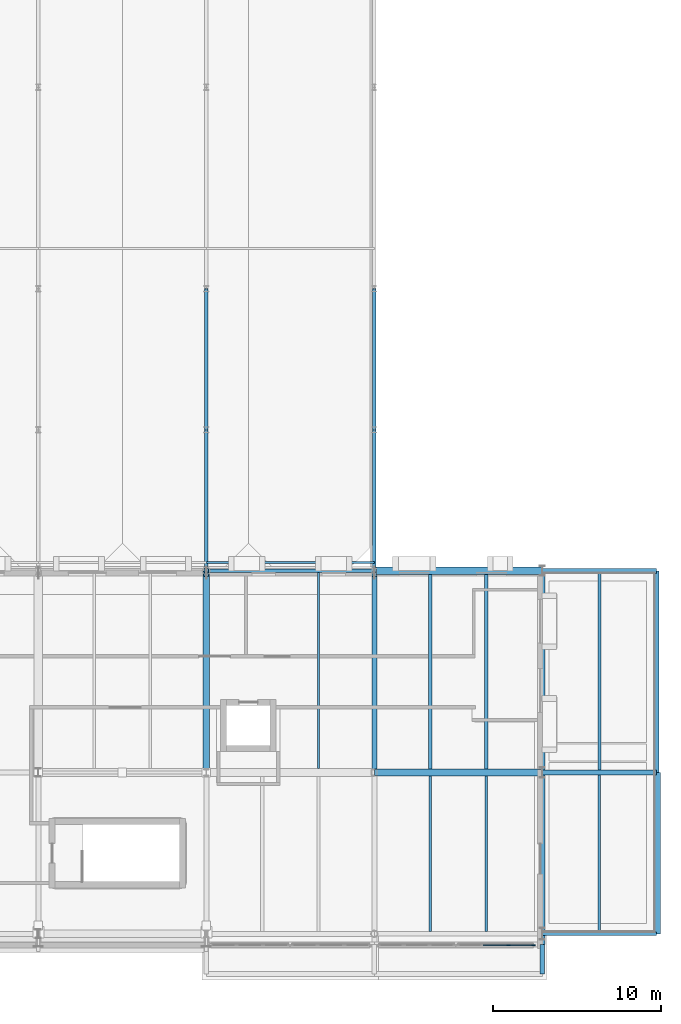
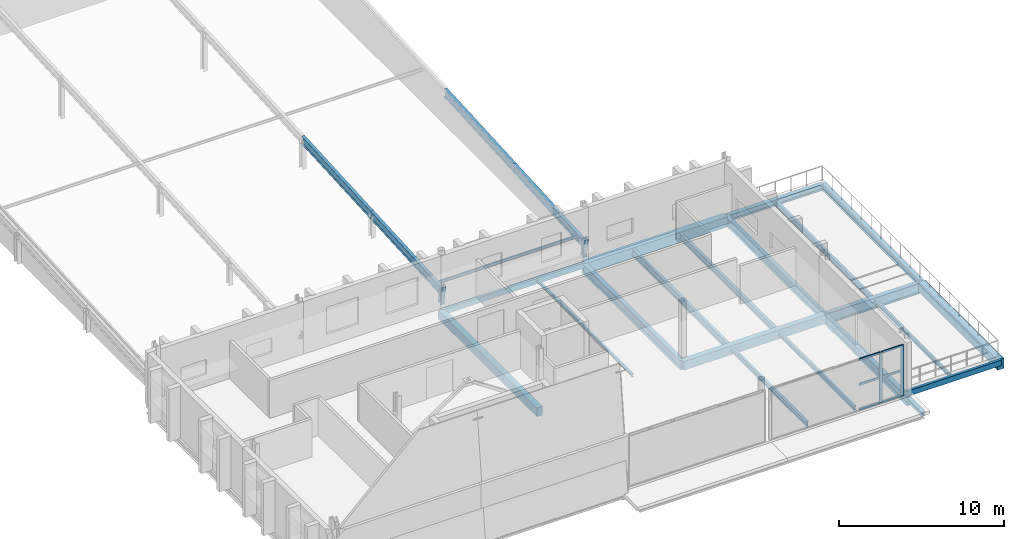
# One storey, part 27 of 57: 24 beams, 11 members, 1 element without a shape of its own.
"""IFC4 building model written with IfcOpenShell, lengths in metres."""

from ifc_helpers import new_model, si_unit, direction, frame, origin, origin_2d, place, context, subcontext, project, spatial, rectangle, hollow_rectangle, i_section, extrude, material, layer, layer_set, material_profile, profile_set, type_object, element, aggregate, save


model = new_model("IFC4")

# Units and contexts
model_context = context("Model", 3, precision=1e-05, world=origin(), true_north=direction((0.0, 1.0)))
body_context = subcontext(model_context, "Body", "Model", "MODEL_VIEW")
ifc_project = project(units=[si_unit("LENGTHUNIT", "METRE"), si_unit("AREAUNIT", "SQUARE_METRE"), si_unit("VOLUMEUNIT", "CUBIC_METRE"), si_unit("PLANEANGLEUNIT", "RADIAN"), si_unit("MASSUNIT", "GRAM", prefix="KILO")], contexts=[model_context])

# Site, building, storey
site_placement = place(None, origin())
site = spatial("IfcSite", under=ifc_project, at=site_placement, CompositionType="ELEMENT")
building_placement = place(site_placement, origin())
building = spatial("IfcBuilding", under=site, at=building_placement, Name="Zereglee Splitstone Museum", CompositionType="ELEMENT")
storey_placement = place(building_placement, frame((0.0, 0.0, 17.10009765625)))
storey = spatial("IfcBuildingStorey", under=building, at=storey_placement, Name="L03", CompositionType="ELEMENT", Elevation=17.10009765625)

# Beams
ifc_material_1 = material(Name="Concrete C40/50", Category="concrete")
ifc_material_profile_1 = material_profile(ifc_material_1, rectangle(XDim=0.39990234375, YDim=0.64990234375, at=origin_2d()), Name="RC 400x650")
ifc_profile_set_1 = profile_set([ifc_material_profile_1], Name="Concrete C40/50")
beam_type_1 = type_object("IfcBeamType", Name="BG-04", PredefinedType="BEAM", material=ifc_profile_set_1)
beam_1_placement = place(storey_placement, frame((205.199951171875, 9.60009765625, -0.60498046875), z_axis=(1.0, 0.0, 0.0), x_axis=(0.0, 1.0, 0.0)))
element("IfcBeam", 1, at=beam_1_placement, inside=storey, type_object=beam_type_1, Name="Primary Girder L03 B (205.2-215.2)", PredefinedType="BEAM", context=body_context, shape_type="SweptSolid", body=[
    extrude(rectangle(XDim=0.39990234375, YDim=0.64990234375, at=origin_2d()), origin(), (0.0, 0.0, 1.0), 10.0),
])
beam_2_placement = place(storey_placement, frame((195.199951171875, 9.60009765625, -0.60498046875), z_axis=(0.0, 1.0, 0.0), x_axis=(-1.0, 0.0, 0.0)))
element("IfcBeam", 2, at=beam_2_placement, inside=storey, type_object=beam_type_1, Name="Primary Girder L03 22 (9.6-21.6)", PredefinedType="BEAM", context=body_context, shape_type="SweptSolid", body=[
    extrude(rectangle(XDim=0.39990234375, YDim=0.64990234375, at=origin_2d()), origin(), (0.0, 0.0, 1.0), 12.0),
])

# Curtain wall, members
ifc_material_2 = material(Name="Triple-glazed low-E argon glass and bronze-anodised aluminium", Category="aluminium")
ifc_layer = layer(ifc_material_2, 0.219970703125)
ifc_layer_set = layer_set([ifc_layer], Name="Triple-glazed low-E argon glass and bronze-anodised aluminium")
curtain_wall_type = type_object("IfcCurtainWallType", Name="CW-0462-376", PredefinedType="USERDEFINED", material=ifc_layer_set)
curtain_wall_placement = place(storey_placement, origin())
curtain_wall = element("IfcCurtainWall", 3, at=curtain_wall_placement, inside=storey, type_object=curtain_wall_type, Name="Glazed Curtain Wall CW-0462-376 (L03)", ObjectType="GLAZED CURTAIN WALL", PredefinedType="USERDEFINED")
ifc_material_3 = material(Name="Thermally broken bronze-anodised aluminium", Category="aluminium")
ifc_material_profile_2 = material_profile(ifc_material_3, rectangle(XDim=0.074951171875, YDim=0.219970703125, at=origin_2d()), Name="CW MULL 75x220")
ifc_profile_set_2 = profile_set([ifc_material_profile_2], Name="Thermally broken bronze-anodised aluminium")
member_type_1 = type_object("IfcMemberType", Name="CWM-02", PredefinedType="MULLION", material=ifc_profile_set_2)
member_1_placement = place(storey_placement, frame((213.18359375, -0.679931640625, 0.0), z_axis=(0.0, 0.0, 1.0), x_axis=(0.0, 1.0, 0.0)))
member_1 = element("IfcMember", 4, at=member_1_placement, type_object=member_type_1, Name="CW-0462-376 mullion 3", PredefinedType="MULLION", context=body_context, shape_type="SweptSolid", body=[
    extrude(rectangle(XDim=0.074951171875, YDim=0.219970703125, at=origin_2d()), origin(), (0.0, 0.0, 1.0), 3.760009765625),
])
member_2_placement = place(storey_placement, frame((214.6845703125, -0.679931640625, 0.0), z_axis=(0.0, 0.0, 1.0), x_axis=(0.0, 1.0, 0.0)))
member_2 = element("IfcMember", 5, at=member_2_placement, type_object=member_type_1, Name="CW-0462-376 mullion 4", PredefinedType="MULLION", context=body_context, shape_type="SweptSolid", body=[
    extrude(rectangle(XDim=0.074951171875, YDim=0.219970703125, at=origin_2d()), origin(), (0.0, 0.0, 1.0), 3.760009765625),
])
ifc_material_profile_3 = material_profile(ifc_material_3, rectangle(XDim=0.074951171875, YDim=0.1650390625, at=origin_2d()), Name="CW TRAN 75x165")
ifc_profile_set_3 = profile_set([ifc_material_profile_3], Name="Thermally broken bronze-anodised aluminium")
member_type_2 = type_object("IfcMemberType", Name="CWT-02", PredefinedType="USERDEFINED", material=ifc_profile_set_3)
member_3_placement = place(storey_placement, frame((211.6826171875, -0.679931640625, 0.037353515625), z_axis=(1.0, 0.0, 0.0), x_axis=(0.0, 1.0, 0.0)))
member_3 = element("IfcMember", 6, at=member_3_placement, type_object=member_type_2, Name="CW-0462-376 transom 2.1", ObjectType="TRANSOM", PredefinedType="USERDEFINED", context=body_context, shape_type="SweptSolid", body=[
    extrude(rectangle(XDim=0.074951171875, YDim=0.1650390625, at=origin_2d()), origin(), (0.0, 0.0, 1.0), 1.46337890625),
])
member_4_placement = place(storey_placement, frame((211.6826171875, -0.679931640625, 1.8798828125), z_axis=(1.0, 0.0, 0.0), x_axis=(0.0, 1.0, 0.0)))
member_4 = element("IfcMember", 7, at=member_4_placement, type_object=member_type_2, Name="CW-0462-376 transom 2.2", ObjectType="TRANSOM", PredefinedType="USERDEFINED", context=body_context, shape_type="SweptSolid", body=[
    extrude(rectangle(XDim=0.074951171875, YDim=0.1650390625, at=origin_2d()), origin(), (0.0, 0.0, 1.0), 1.46337890625),
])
member_5_placement = place(storey_placement, frame((211.6826171875, -0.679931640625, 3.722412109375), z_axis=(1.0, 0.0, 0.0), x_axis=(0.0, 1.0, 0.0)))
member_5 = element("IfcMember", 8, at=member_5_placement, type_object=member_type_2, Name="CW-0462-376 transom 2.3", ObjectType="TRANSOM", PredefinedType="USERDEFINED", context=body_context, shape_type="SweptSolid", body=[
    extrude(rectangle(XDim=0.074951171875, YDim=0.1650390625, at=origin_2d()), origin(), (0.0, 0.0, 1.0), 1.46337890625),
])
member_6_placement = place(storey_placement, frame((213.220947265625, -0.679931640625, 0.037353515625), z_axis=(1.0, 0.0, 0.0), x_axis=(0.0, 1.0, 0.0)))
member_6 = element("IfcMember", 9, at=member_6_placement, type_object=member_type_2, Name="CW-0462-376 transom 3.1", ObjectType="TRANSOM", PredefinedType="USERDEFINED", context=body_context, shape_type="SweptSolid", body=[
    extrude(rectangle(XDim=0.074951171875, YDim=0.1650390625, at=origin_2d()), origin(), (0.0, 0.0, 1.0), 1.426025390625),
])
member_7_placement = place(storey_placement, frame((213.220947265625, -0.679931640625, 1.8798828125), z_axis=(1.0, 0.0, 0.0), x_axis=(0.0, 1.0, 0.0)))
member_7 = element("IfcMember", 10, at=member_7_placement, type_object=member_type_2, Name="CW-0462-376 transom 3.2", ObjectType="TRANSOM", PredefinedType="USERDEFINED", context=body_context, shape_type="SweptSolid", body=[
    extrude(rectangle(XDim=0.074951171875, YDim=0.1650390625, at=origin_2d()), origin(), (0.0, 0.0, 1.0), 1.426025390625),
])
member_8_placement = place(storey_placement, frame((213.220947265625, -0.679931640625, 3.722412109375), z_axis=(1.0, 0.0, 0.0), x_axis=(0.0, 1.0, 0.0)))
member_8 = element("IfcMember", 11, at=member_8_placement, type_object=member_type_2, Name="CW-0462-376 transom 3.3", ObjectType="TRANSOM", PredefinedType="USERDEFINED", context=body_context, shape_type="SweptSolid", body=[
    extrude(rectangle(XDim=0.074951171875, YDim=0.1650390625, at=origin_2d()), origin(), (0.0, 0.0, 1.0), 1.426025390625),
])
aggregate(curtain_wall, [member_1, member_2, member_3, member_4, member_5, member_6, member_7, member_8])

# Beams
ifc_material_4 = material(Name="Steel S355J2", Category="steel")
ifc_material_profile_4 = material_profile(ifc_material_4, i_section(OverallWidth=0.300048828125, OverallDepth=0.60009765625, WebThickness=0.015380859375, FlangeThickness=0.030029296875, FilletRadius=0.027099609375, at=origin_2d()), Name="HE 600 B")
ifc_profile_set_4 = profile_set([ifc_material_profile_4], Name="Steel S355J2")
beam_type_2 = type_object("IfcBeamType", Name="BG-10", PredefinedType="BEAM", material=ifc_profile_set_4)
beam_3_placement = place(storey_placement, frame((215.199951171875, 9.60009765625, -0.580078125), z_axis=(0.0, 1.0, 0.0), x_axis=(-1.0, 0.0, 0.0)))
element("IfcBeam", 12, at=beam_3_placement, inside=storey, type_object=beam_type_2, Name="Primary Girder L03 24 (9.6-21.6)", PredefinedType="BEAM", context=body_context, shape_type="SweptSolid", body=[
    extrude(i_section(OverallWidth=0.300048828125, OverallDepth=0.60009765625, WebThickness=0.015380859375, FlangeThickness=0.030029296875, FilletRadius=0.027099609375, at=origin_2d()), origin(), (0.0, 0.0, 1.0), 12.0),
])
ifc_material_profile_5 = material_profile(ifc_material_4, i_section(OverallWidth=0.300048828125, OverallDepth=0.64990234375, WebThickness=0.01611328125, FlangeThickness=0.031005859375, FilletRadius=0.027099609375, at=origin_2d()), Name="HE 650 B")
ifc_profile_set_5 = profile_set([ifc_material_profile_5], Name="Steel S355J2")
beam_type_3 = type_object("IfcBeamType", Name="BG-09", PredefinedType="BEAM", material=ifc_profile_set_5)
beam_4_placement = place(storey_placement, frame((215.199951171875, -0.64990234375, -0.60498046875), z_axis=(0.0, 1.0, 0.0), x_axis=(-1.0, 0.0, 0.0)))
element("IfcBeam", 13, at=beam_4_placement, inside=storey, type_object=beam_type_3, Name="Primary Girder L03 24 (-0.7-9.6)", PredefinedType="BEAM", context=body_context, shape_type="SweptSolid", body=[
    extrude(i_section(OverallWidth=0.300048828125, OverallDepth=0.64990234375, WebThickness=0.01611328125, FlangeThickness=0.031005859375, FilletRadius=0.027099609375, at=origin_2d()), origin(), (0.0, 0.0, 1.0), 10.25),
])
ifc_material_profile_6 = material_profile(ifc_material_4, i_section(OverallWidth=0.300048828125, OverallDepth=0.699951171875, WebThickness=0.01708984375, FlangeThickness=0.031982421875, FilletRadius=0.027099609375, at=origin_2d()), Name="HE 700 B")
ifc_profile_set_6 = profile_set([ifc_material_profile_6], Name="Steel S355J2")
beam_type_4 = type_object("IfcBeamType", Name="BG-08", PredefinedType="BEAM", material=ifc_profile_set_6)
beam_5_placement = place(storey_placement, frame((205.199951171875, 9.60009765625, -0.630126953125), z_axis=(0.0, 1.0, 0.0), x_axis=(-1.0, 0.0, 0.0)))
element("IfcBeam", 14, at=beam_5_placement, inside=storey, type_object=beam_type_4, Name="Primary Girder L03 23 (9.6-21.6)", PredefinedType="BEAM", context=body_context, shape_type="SweptSolid", body=[
    extrude(i_section(OverallWidth=0.300048828125, OverallDepth=0.699951171875, WebThickness=0.01708984375, FlangeThickness=0.031982421875, FilletRadius=0.027099609375, at=origin_2d()), origin(), (0.0, 0.0, 1.0), 12.0),
])
ifc_material_profile_7 = material_profile(ifc_material_4, i_section(OverallWidth=0.300048828125, OverallDepth=0.800048828125, WebThickness=0.017578125, FlangeThickness=0.032958984375, FilletRadius=0.030029296875, at=origin_2d()), Name="HE 800 B")
ifc_profile_set_7 = profile_set([ifc_material_profile_7], Name="Steel S355J2")
beam_type_5 = type_object("IfcBeamType", Name="BG-07", PredefinedType="BEAM", material=ifc_profile_set_7)
beam_6_placement = place(storey_placement, frame((215.199951171875, 9.60009765625, -0.68017578125), z_axis=(1.0, 0.0, 0.0), x_axis=(0.0, 1.0, 0.0)))
element("IfcBeam", 15, at=beam_6_placement, inside=storey, type_object=beam_type_5, Name="Primary Girder L03 B (215.2-222.0)", PredefinedType="BEAM", context=body_context, shape_type="SweptSolid", body=[
    extrude(i_section(OverallWidth=0.300048828125, OverallDepth=0.800048828125, WebThickness=0.017578125, FlangeThickness=0.032958984375, FilletRadius=0.030029296875, at=origin_2d()), origin(), (0.0, 0.0, 1.0), 6.800048828125),
])
ifc_material_profile_8 = material_profile(ifc_material_4, i_section(OverallWidth=0.1201171875, OverallDepth=0.239990234375, WebThickness=0.006103515625, FlangeThickness=0.009765625, FilletRadius=0.014892578125, at=origin_2d()), Name="IPE 240")
ifc_profile_set_8 = profile_set([ifc_material_profile_8], Name="Steel S355J2")
beam_type_6 = type_object("IfcBeamType", Name="BJ-07", PredefinedType="JOIST", material=ifc_profile_set_8)
beam_7_placement = place(storey_placement, frame((201.86669921875, 9.824951171875, -0.400146484375), z_axis=(0.0, 1.0, 0.0), x_axis=(-1.0, 0.0, 0.0)))
element("IfcBeam", 16, at=beam_7_placement, inside=storey, type_object=beam_type_6, Name="Secondary Floor Joist L03-1336", PredefinedType="JOIST", context=body_context, shape_type="SweptSolid", body=[
    extrude(i_section(OverallWidth=0.1201171875, OverallDepth=0.239990234375, WebThickness=0.006103515625, FlangeThickness=0.009765625, FilletRadius=0.014892578125, at=origin_2d()), origin(), (0.0, 0.0, 1.0), 11.675048828125),
])
ifc_material_profile_9 = material_profile(ifc_material_4, i_section(OverallWidth=0.14990234375, OverallDepth=0.300048828125, WebThickness=0.007080078125, FlangeThickness=0.0107421875, FilletRadius=0.014892578125, at=origin_2d()), Name="IPE 300")
ifc_profile_set_9 = profile_set([ifc_material_profile_9], Name="Steel S355J2")
beam_type_7 = type_object("IfcBeamType", Name="BJ-06", PredefinedType="JOIST", material=ifc_profile_set_9)
beam_8_placement = place(storey_placement, frame((218.60009765625, 0.10009765625, -0.43017578125), z_axis=(0.0, 1.0, 0.0), x_axis=(-1.0, 0.0, 0.0)))
element("IfcBeam", 17, at=beam_8_placement, inside=storey, type_object=beam_type_7, Name="Secondary Floor Joist L03-1314", PredefinedType="JOIST", context=body_context, shape_type="SweptSolid", body=[
    extrude(i_section(OverallWidth=0.14990234375, OverallDepth=0.300048828125, WebThickness=0.007080078125, FlangeThickness=0.0107421875, FilletRadius=0.014892578125, at=origin_2d()), origin(), (0.0, 0.0, 1.0), 9.349853515625),
])
ifc_material_profile_10 = material_profile(ifc_material_4, i_section(OverallWidth=0.159912109375, OverallDepth=0.330078125, WebThickness=0.007568359375, FlangeThickness=0.011474609375, FilletRadius=0.01806640625, at=origin_2d()), Name="IPE 330")
ifc_profile_set_10 = profile_set([ifc_material_profile_10], Name="Steel S355J2")
beam_type_8 = type_object("IfcBeamType", Name="BJ-05", PredefinedType="JOIST", material=ifc_profile_set_10)
beam_9_placement = place(storey_placement, frame((211.86669921875, 0.139892578125, -0.445068359375), z_axis=(0.0, 1.0, 0.0), x_axis=(-1.0, 0.0, 0.0)))
element("IfcBeam", 18, at=beam_9_placement, inside=storey, type_object=beam_type_8, Name="Secondary Floor Joist L03-1313", PredefinedType="JOIST", context=body_context, shape_type="SweptSolid", body=[
    extrude(i_section(OverallWidth=0.159912109375, OverallDepth=0.330078125, WebThickness=0.007568359375, FlangeThickness=0.011474609375, FilletRadius=0.01806640625, at=origin_2d()), origin(), (0.0, 0.0, 1.0), 9.260009765625),
])
ifc_material_profile_11 = material_profile(ifc_material_4, i_section(OverallWidth=0.169921875, OverallDepth=0.360107421875, WebThickness=0.008056640625, FlangeThickness=0.0126953125, FilletRadius=0.01806640625, at=origin_2d()), Name="IPE 360")
ifc_profile_set_11 = profile_set([ifc_material_profile_11], Name="Steel S355J2")
beam_type_9 = type_object("IfcBeamType", Name="BJ-04", PredefinedType="JOIST", material=ifc_profile_set_11)
beam_10_placement = place(storey_placement, frame((208.533203125, 0.139892578125, -0.460205078125), z_axis=(0.0, 1.0, 0.0), x_axis=(-1.0, 0.0, 0.0)))
element("IfcBeam", 19, at=beam_10_placement, inside=storey, type_object=beam_type_9, Name="Secondary Floor Joist L03-1312", PredefinedType="JOIST", context=body_context, shape_type="SweptSolid", body=[
    extrude(i_section(OverallWidth=0.169921875, OverallDepth=0.360107421875, WebThickness=0.008056640625, FlangeThickness=0.0126953125, FilletRadius=0.01806640625, at=origin_2d()), origin(), (0.0, 0.0, 1.0), 9.260009765625),
])
ifc_material_profile_12 = material_profile(ifc_material_4, i_section(OverallWidth=0.179931640625, OverallDepth=0.39990234375, WebThickness=0.008544921875, FlangeThickness=0.013427734375, FilletRadius=0.02099609375, at=origin_2d()), Name="IPE 400")
ifc_profile_set_12 = profile_set([ifc_material_profile_12], Name="Steel S355J2")
beam_type_10 = type_object("IfcBeamType", Name="BJ-03", PredefinedType="JOIST", material=ifc_profile_set_12)
beam_11_placement = place(storey_placement, frame((218.60009765625, 9.75, -0.47998046875), z_axis=(0.0, 1.0, 0.0), x_axis=(-1.0, 0.0, 0.0)))
element("IfcBeam", 20, at=beam_11_placement, inside=storey, type_object=beam_type_10, Name="Secondary Floor Joist L03-1339", PredefinedType="JOIST", context=body_context, shape_type="SweptSolid", body=[
    extrude(i_section(OverallWidth=0.179931640625, OverallDepth=0.39990234375, WebThickness=0.008544921875, FlangeThickness=0.013427734375, FilletRadius=0.02099609375, at=origin_2d()), origin(), (0.0, 0.0, 1.0), 11.699951171875),
])
ifc_material_profile_13 = material_profile(ifc_material_4, i_section(OverallWidth=0.18994140625, OverallDepth=0.449951171875, WebThickness=0.009521484375, FlangeThickness=0.0146484375, FilletRadius=0.02099609375, at=origin_2d()), Name="IPE 450")
ifc_profile_set_13 = profile_set([ifc_material_profile_13], Name="Steel S355J2")
beam_type_11 = type_object("IfcBeamType", Name="BJ-02", PredefinedType="JOIST", material=ifc_profile_set_13)
beam_12_placement = place(storey_placement, frame((211.86669921875, 9.800048828125, -0.505126953125), z_axis=(0.0, 1.0, 0.0), x_axis=(-1.0, 0.0, 0.0)))
element("IfcBeam", 21, at=beam_12_placement, inside=storey, type_object=beam_type_11, Name="Secondary Floor Joist L03-1338", PredefinedType="JOIST", context=body_context, shape_type="SweptSolid", body=[
    extrude(i_section(OverallWidth=0.18994140625, OverallDepth=0.449951171875, WebThickness=0.009521484375, FlangeThickness=0.0146484375, FilletRadius=0.02099609375, at=origin_2d()), origin(), (0.0, 0.0, 1.0), 11.574951171875),
])
ifc_material_profile_14 = material_profile(ifc_material_4, i_section(OverallWidth=0.199951171875, OverallDepth=0.5, WebThickness=0.01025390625, FlangeThickness=0.01611328125, FilletRadius=0.02099609375, at=origin_2d()), Name="IPE 500")
ifc_profile_set_14 = profile_set([ifc_material_profile_14], Name="Steel S355J2")
beam_type_12 = type_object("IfcBeamType", Name="BJ-01", PredefinedType="JOIST", material=ifc_profile_set_14)
beam_13_placement = place(storey_placement, frame((208.533203125, 9.800048828125, -0.530029296875), z_axis=(0.0, 1.0, 0.0), x_axis=(-1.0, 0.0, 0.0)))
element("IfcBeam", 22, at=beam_13_placement, inside=storey, type_object=beam_type_12, Name="Secondary Floor Joist L03-1337", PredefinedType="JOIST", context=body_context, shape_type="SweptSolid", body=[
    extrude(i_section(OverallWidth=0.199951171875, OverallDepth=0.5, WebThickness=0.01025390625, FlangeThickness=0.01611328125, FilletRadius=0.02099609375, at=origin_2d()), origin(), (0.0, 0.0, 1.0), 11.574951171875),
])

# Member
ifc_material_profile_15 = material_profile(ifc_material_4, i_section(OverallWidth=0.110107421875, OverallDepth=0.219970703125, WebThickness=0.005859375, FlangeThickness=0.00927734375, FilletRadius=0.011962890625, at=origin_2d()), Name="IPE 220")
ifc_profile_set_15 = profile_set([ifc_material_profile_15], Name="Steel S355J2")
member_type_3 = type_object("IfcMemberType", Name="PR-04", PredefinedType="PURLIN", material=ifc_profile_set_15)
member_9_placement = place(storey_placement, frame((195.199951171875, 22.10009765625, 1.3740234375), z_axis=(1.0, 0.0, 0.0), x_axis=(0.0, 1.0, 0.0)))
element("IfcMember", 23, at=member_9_placement, inside=storey, type_object=member_type_3, Name="Roof Purlin RF-V4 (195.2-205.2)", PredefinedType="PURLIN", context=body_context, shape_type="SweptSolid", body=[
    extrude(i_section(OverallWidth=0.110107421875, OverallDepth=0.219970703125, WebThickness=0.005859375, FlangeThickness=0.00927734375, FilletRadius=0.011962890625, at=origin_2d()), origin(), (0.0, 0.0, 1.0), 10.0),
])

# Beams
ifc_material_profile_16 = material_profile(ifc_material_4, i_section(OverallWidth=0.219970703125, OverallDepth=0.60009765625, WebThickness=0.011962890625, FlangeThickness=0.01904296875, FilletRadius=0.02392578125, at=origin_2d()), Name="IPE 600")
ifc_profile_set_16 = profile_set([ifc_material_profile_16], Name="Steel S355J2")
beam_type_13 = type_object("IfcBeamType", Name="RR-01", PredefinedType="BEAM", material=ifc_profile_set_16)
for number, where, z_axis, x_axis, name in (
    (24, (195.199951171875, 21.60009765625, 1.1591796875), (0.0, 0.998363155006, 0.05719275064), (-1.0, 0.0, 0.0), "Sloped Roof Girder RF-V4 X=195.2 (21.6-30.0)"),
    (25, (195.199951171875, 30.0, 1.640380859375), (0.0, 0.998363155006, 0.05719275064), (-1.0, 0.0, 0.0), "Sloped Roof Girder RF-V4 X=195.2 (30.0-38.4)"),
    (26, (205.199951171875, 21.60009765625, 1.1591796875), (0.0, 0.998363155006, 0.05719275064), (-1.0, 0.0, 0.0), "Sloped Roof Girder RF-V4 X=205.2 (21.6-30.0)"),
    (27, (205.199951171875, 30.0, 1.640380859375), (0.0, 0.998363155006, 0.05719275064), (-1.0, 0.0, 0.0), "Sloped Roof Girder RF-V4 X=205.2 (30.0-38.4)"),
):
    element("IfcBeam", number, at=place(storey_placement, frame(where, z_axis=z_axis, x_axis=x_axis)), inside=storey, type_object=beam_type_13, Name=name, PredefinedType="BEAM", context=body_context, shape_type="SweptSolid", body=[
        extrude(i_section(OverallWidth=0.219970703125, OverallDepth=0.60009765625, WebThickness=0.011962890625, FlangeThickness=0.01904296875, FilletRadius=0.02392578125, at=origin_2d()), origin(), (0.0, 0.0, 1.0), 8.41357421875),
    ])
ifc_material_profile_17 = material_profile(ifc_material_4, i_section(OverallWidth=0.280029296875, OverallDepth=0.280029296875, WebThickness=0.010498046875, FlangeThickness=0.01806640625, FilletRadius=0.02392578125, at=origin_2d()), Name="HE 280 B")
ifc_profile_set_17 = profile_set([ifc_material_profile_17], Name="Steel S355J2")
beam_type_14 = type_object("IfcBeamType", Name="SP-03", PredefinedType="SPANDREL", material=ifc_profile_set_17)
beam_14_placement = place(storey_placement, frame((215.199951171875, -2.39990234375, -0.505126953125), z_axis=(0.0, 1.0, 0.0), x_axis=(-1.0, 0.0, 0.0)))
element("IfcBeam", 28, at=beam_14_placement, inside=storey, type_object=beam_type_14, Name="Pishtaq Return Tie Beam PSQ-SV3-2 (215.2)", PredefinedType="SPANDREL", context=body_context, shape_type="SweptSolid", body=[
    extrude(i_section(OverallWidth=0.280029296875, OverallDepth=0.280029296875, WebThickness=0.010498046875, FlangeThickness=0.01806640625, FilletRadius=0.02392578125, at=origin_2d()), origin(), (0.0, 0.0, 1.0), 1.75),
])
ifc_material_profile_18 = material_profile(ifc_material_4, i_section(OverallWidth=0.300048828125, OverallDepth=0.449951171875, WebThickness=0.013916015625, FlangeThickness=0.02587890625, FilletRadius=0.027099609375, at=origin_2d()), Name="HE 450 B")
ifc_profile_set_18 = profile_set([ifc_material_profile_18], Name="Steel S355J2")
beam_type_15 = type_object("IfcBeamType", Name="SP-02", PredefinedType="SPANDREL", material=ifc_profile_set_18)
beam_15_placement = place(storey_placement, frame((215.199951171875, 21.60009765625, -0.505126953125), z_axis=(1.0, 0.0, 0.0), x_axis=(0.0, 1.0, 0.0)))
element("IfcBeam", 29, at=beam_15_placement, inside=storey, type_object=beam_type_15, Name="Primary Girder L03 C (215.2-222.0)", PredefinedType="SPANDREL", context=body_context, shape_type="SweptSolid", body=[
    extrude(i_section(OverallWidth=0.300048828125, OverallDepth=0.449951171875, WebThickness=0.013916015625, FlangeThickness=0.02587890625, FilletRadius=0.027099609375, at=origin_2d()), origin(), (0.0, 0.0, 1.0), 6.800048828125),
])
beam_16_placement = place(storey_placement, frame((222.0, 9.60009765625, -0.505126953125), z_axis=(0.0, 1.0, 0.0), x_axis=(-1.0, 0.0, 0.0)))
element("IfcBeam", 30, at=beam_16_placement, inside=storey, type_object=beam_type_15, Name="Primary Girder L03 25 (9.6-21.6)", PredefinedType="SPANDREL", context=body_context, shape_type="SweptSolid", body=[
    extrude(i_section(OverallWidth=0.300048828125, OverallDepth=0.449951171875, WebThickness=0.013916015625, FlangeThickness=0.02587890625, FilletRadius=0.027099609375, at=origin_2d()), origin(), (0.0, 0.0, 1.0), 12.0),
])
ifc_material_profile_19 = material_profile(ifc_material_1, rectangle(XDim=0.449951171875, YDim=0.75, at=origin_2d()), Name="RC 450x750")
ifc_profile_set_19 = profile_set([ifc_material_profile_19], Name="Concrete C40/50")
beam_type_16 = type_object("IfcBeamType", Name="SP-01", PredefinedType="SPANDREL", material=ifc_profile_set_19)
beam_17_placement = place(storey_placement, frame((205.199951171875, 21.60009765625, -0.655029296875), z_axis=(1.0, 0.0, 0.0), x_axis=(0.0, 1.0, 0.0)))
element("IfcBeam", 31, at=beam_17_placement, inside=storey, type_object=beam_type_16, Name="Primary Girder L03 C (205.2-215.2)", PredefinedType="SPANDREL", context=body_context, shape_type="SweptSolid", body=[
    extrude(rectangle(XDim=0.449951171875, YDim=0.75, at=origin_2d()), origin(), (0.0, 0.0, 1.0), 10.0),
])
beam_18_placement = place(storey_placement, frame((222.0, 0.0, -0.655029296875), z_axis=(0.0, 1.0, 0.0), x_axis=(-1.0, 0.0, 0.0)))
element("IfcBeam", 32, at=beam_18_placement, inside=storey, type_object=beam_type_16, Name="Primary Girder L03 25 (0.0-9.6)", PredefinedType="SPANDREL", context=body_context, shape_type="SweptSolid", body=[
    extrude(rectangle(XDim=0.449951171875, YDim=0.75, at=origin_2d()), origin(), (0.0, 0.0, 1.0), 9.60009765625),
])
ifc_material_5 = material(Name="Steel S355J2H", Category="steel")
ifc_material_profile_20 = material_profile(ifc_material_5, hollow_rectangle(XDim=0.199951171875, YDim=0.39990234375, WallThickness=0.01611328125, at=origin_2d()), Name="RHS 400x200x16")
ifc_profile_set_20 = profile_set([ifc_material_profile_20], Name="Steel S355J2H")
beam_type_17 = type_object("IfcBeamType", Name="SP-04", PredefinedType="SPANDREL", material=ifc_profile_set_20)
beam_19_placement = place(storey_placement, frame((215.199951171875, 0.0, -0.47998046875), z_axis=(1.0, 0.0, 0.0), x_axis=(0.0, 1.0, 0.0)))
element("IfcBeam", 33, at=beam_19_placement, inside=storey, type_object=beam_type_17, Name="Primary Girder L03 A (215.2-222.0)", PredefinedType="SPANDREL", context=body_context, shape_type="SweptSolid", body=[
    extrude(hollow_rectangle(XDim=0.199951171875, YDim=0.39990234375, WallThickness=0.01611328125, at=origin_2d()), origin(), (0.0, 0.0, 1.0), 6.800048828125),
])
beam_20_placement = place(storey_placement, frame((195.199951171875, 21.60009765625, -0.47998046875), z_axis=(1.0, 0.0, 0.0), x_axis=(0.0, 1.0, 0.0)))
element("IfcBeam", 34, at=beam_20_placement, inside=storey, type_object=beam_type_17, Name="Primary Girder L03 C (195.2-205.2)", PredefinedType="SPANDREL", context=body_context, shape_type="SweptSolid", body=[
    extrude(hollow_rectangle(XDim=0.199951171875, YDim=0.39990234375, WallThickness=0.01611328125, at=origin_2d()), origin(), (0.0, 0.0, 1.0), 10.0),
])

# Members
ifc_material_6 = material(Name="Steel S355J2 architectural chhajja corbel", Category="steel")
ifc_material_profile_21 = material_profile(ifc_material_6, i_section(OverallWidth=0.280029296875, OverallDepth=0.280029296875, WebThickness=0.010498046875, FlangeThickness=0.01806640625, FilletRadius=0.02392578125, at=origin_2d()), Name="HE 280 B")
ifc_profile_set_21 = profile_set([ifc_material_profile_21], Name="Steel S355J2 architectural chhajja corbel")
member_type_4 = type_object("IfcMemberType", Name="FS-C1", PredefinedType="STRUT", material=ifc_profile_set_21)
for number, where, z_axis, x_axis, name in (
    (35, (195.199951171875, 21.60009765625, 0.14990234375), (0.0, -0.139609599772, 0.990206624726), (1.0, 0.0, 0.0), "Mughal Chhajja Corbel Bracket RF-V4 X=195.2"),
    (36, (205.199951171875, 21.60009765625, 0.14990234375), (0.0, -0.139609599772, 0.990206624726), (1.0, 0.0, 0.0), "Mughal Chhajja Corbel Bracket RF-V4 X=205.2"),
):
    element("IfcMember", number, at=place(storey_placement, frame(where, z_axis=z_axis, x_axis=x_axis)), inside=storey, type_object=member_type_4, Name=name, PredefinedType="STRUT", context=body_context, shape_type="SweptSolid", body=[
        extrude(i_section(OverallWidth=0.280029296875, OverallDepth=0.280029296875, WebThickness=0.010498046875, FlangeThickness=0.01806640625, FilletRadius=0.02392578125, at=origin_2d()), origin(), (0.0, 0.0, 1.0), 1.43408203125),
    ])

save(model, "model.ifc")
